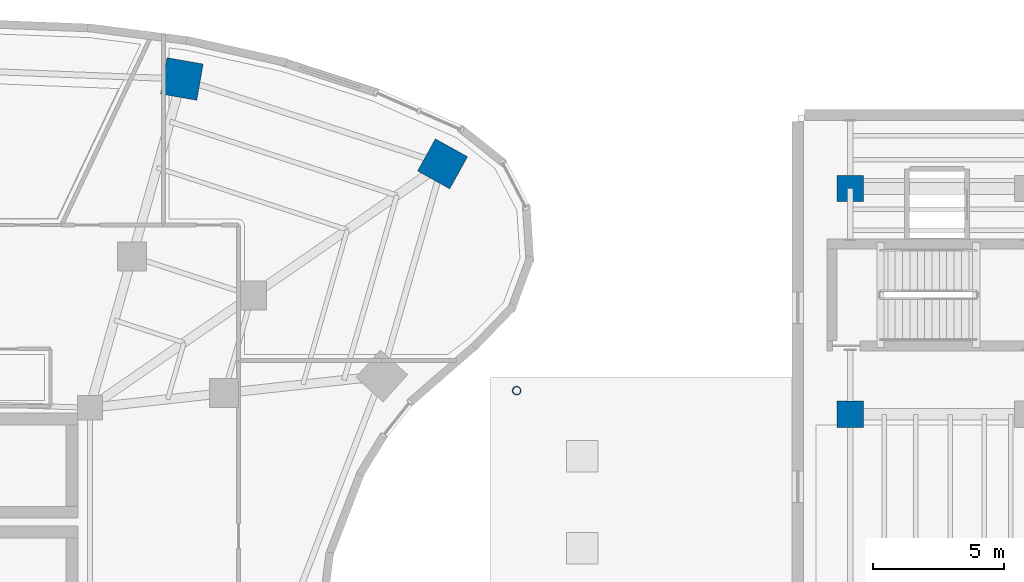
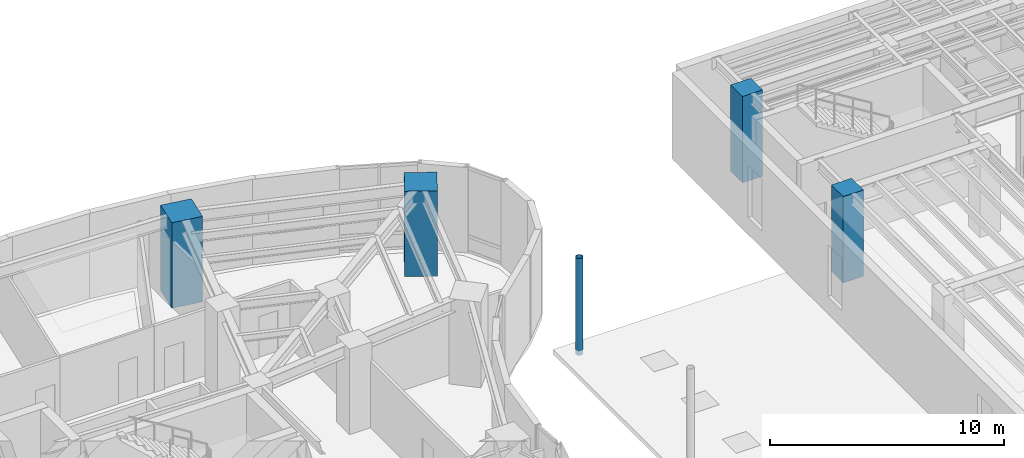
# One storey, part 4 of 24: 5 columns.
"""IFC4 building model written with IfcOpenShell, lengths in metres."""

from ifc_helpers import new_model, si_unit, direction, frame, origin, origin_2d, place, context, subcontext, project, spatial, rectangle, hollow_circle, extrude, material, material_profile, profile_set, type_object, element, save


model = new_model("IFC4")

# Units and contexts
model_context = context("Model", 3, precision=1e-05, world=origin(), true_north=direction((0.0, 1.0)))
body_context = subcontext(model_context, "Body", "Model", "MODEL_VIEW")
ifc_project = project(units=[si_unit("LENGTHUNIT", "METRE"), si_unit("AREAUNIT", "SQUARE_METRE"), si_unit("VOLUMEUNIT", "CUBIC_METRE"), si_unit("PLANEANGLEUNIT", "RADIAN"), si_unit("MASSUNIT", "GRAM", prefix="KILO")], contexts=[model_context])

# Site, building, storey
site_placement = place(None, origin())
site = spatial("IfcSite", under=ifc_project, at=site_placement, CompositionType="ELEMENT")
building_placement = place(site_placement, origin())
building = spatial("IfcBuilding", under=site, at=building_placement, Name="Korentha Bioscience Tower", CompositionType="ELEMENT")
storey_placement = place(building_placement, frame((0.0, 0.0, 10.199951171875)))
storey = spatial("IfcBuildingStorey", under=building, at=storey_placement, Name="L02", CompositionType="ELEMENT", Elevation=10.199951171875)

# Columns
ifc_material_1 = material(Name="Steel S355", Category="steel")
ifc_material_profile_1 = material_profile(ifc_material_1, hollow_circle(Radius=0.161865234375, WallThickness=0.01611328125, at=origin_2d()), Name="Steel S355")
ifc_profile_set_1 = profile_set([ifc_material_profile_1], Name="Steel S355 (AC-01)")
column_type_1 = type_object("IfcColumnType", Name="Arcade Portal Column CHS 323.9x16", PredefinedType="COLUMN", material=ifc_profile_set_1)
column_placement = place(storey_placement, frame((53.800048828125, 36.5, -0.239990234375), z_axis=(0.0, 0.0, 1.0), x_axis=(1.0, 0.0, 0.0)))
element("IfcColumn", 1, at=column_placement, inside=storey, type_object=column_type_1, Name="L02 Terrace Support Column 3", PredefinedType="COLUMN", context=body_context, shape_type="SweptSolid", body=[
    extrude(hollow_circle(Radius=0.161865234375, WallThickness=0.01611328125, at=origin_2d()), origin(), (0.0, 0.0, 1.0), 5.0400390625),
])
ifc_material_2 = material(Name="Concrete C80", Category="concrete")
ifc_material_profile_2 = material_profile(ifc_material_2, rectangle(XDim=1.39990234375, YDim=1.39990234375, at=origin_2d()), Name="Concrete C80")
ifc_profile_set_2 = profile_set([ifc_material_profile_2], Name="Concrete C80 (COL-P14)")
column_type_2 = type_object("IfcColumnType", Name="Perimeter Column RC 1400x1400", PredefinedType="COLUMN", material=ifc_profile_set_2)
for number, where, z_axis, x_axis, name in (
    (2, (50.977294921875, 45.135498046875, -0.00048828125), (0.0, 0.0, 1.0), (-0.874535078577, 0.484962262797, 0.0), "L02 Perimeter Column 01"),
    (3, (41.052490234375, 48.36669921875, -0.00048828125), (0.0, 0.0, 1.0), (-0.984868307662, 0.173304404339, 0.0), "L02 Perimeter Column 02"),
):
    element("IfcColumn", number, at=place(storey_placement, frame(where, z_axis=z_axis, x_axis=x_axis)), inside=storey, type_object=column_type_2, Name=name, PredefinedType="COLUMN", context=body_context, shape_type="SweptSolid", body=[
        extrude(rectangle(XDim=1.39990234375, YDim=1.39990234375, at=origin_2d()), origin(), (0.0, 0.0, 1.0), 4.450927734375),
    ])
ifc_material_3 = material(Name="Concrete C50", Category="concrete")
ifc_material_profile_3 = material_profile(ifc_material_3, rectangle(XDim=1.0, YDim=1.0, at=origin_2d()), Name="Concrete C50")
ifc_profile_set_3 = profile_set([ifc_material_profile_3], Name="Concrete C50 (TC-01)")
column_type_3 = type_object("IfcColumnType", Name="Theatre Primary Column RC 1000x1000", PredefinedType="COLUMN", material=ifc_profile_set_3)
for number, where, z_axis, x_axis, name in (
    (4, (66.5, 35.60009765625, 0.0), (0.0, 0.0, 1.0), (1.0, 0.0, 0.0), "L02 Theatre Column 1-4"),
    (5, (66.5, 44.199951171875, 0.0), (0.0, 0.0, 1.0), (1.0, 0.0, 0.0), "L02 Theatre Column 1-5"),
):
    element("IfcColumn", number, at=place(storey_placement, frame(where, z_axis=z_axis, x_axis=x_axis)), inside=storey, type_object=column_type_3, Name=name, PredefinedType="COLUMN", context=body_context, shape_type="SweptSolid", body=[
        extrude(rectangle(XDim=1.0, YDim=1.0, at=origin_2d()), origin(), (0.0, 0.0, 1.0), 4.5),
    ])

save(model, "model.ifc")
